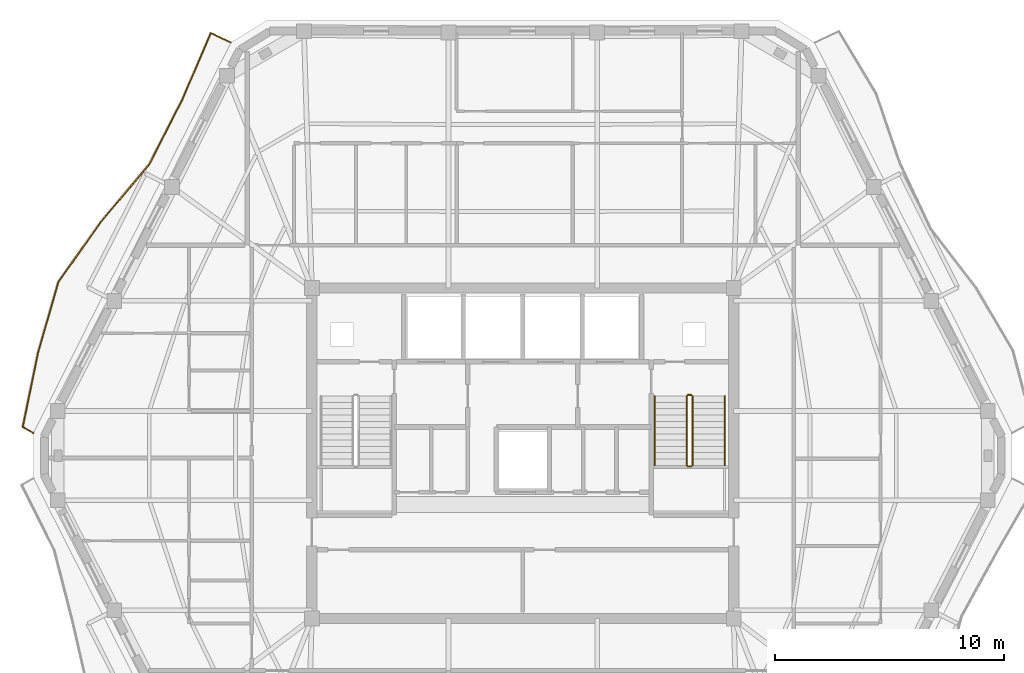
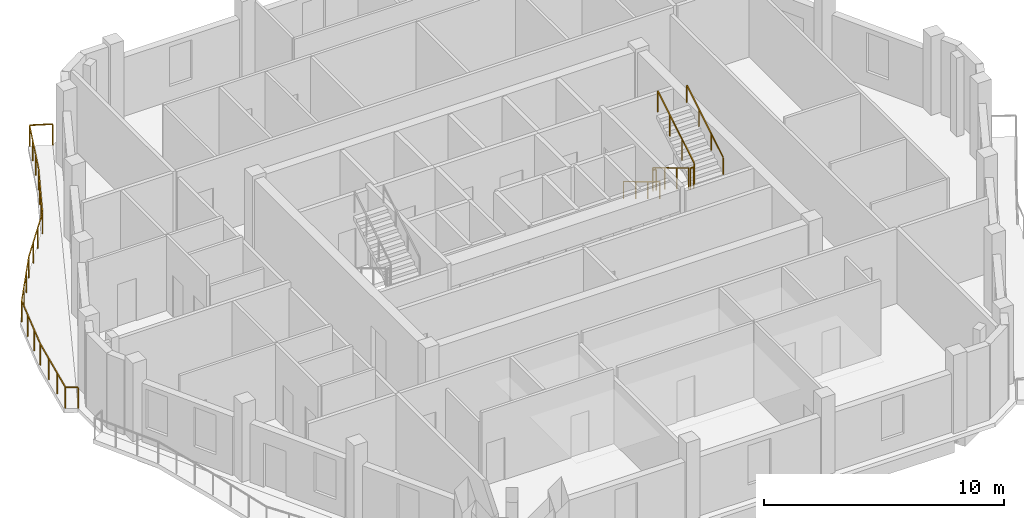
# One storey, part 10 of 11: 7 railings.
"""IFC4 building model written with IfcOpenShell, lengths in metres."""

from ifc_helpers import new_model, si_unit, direction, frame, origin, origin_2d, place, context, subcontext, project, spatial, rectangle, extrude, material, type_object, element, save


model = new_model("IFC4")

# Units and contexts
model_context = context("Model", 3, precision=1e-05, world=origin(), true_north=direction((0.0, 1.0)))
body_context = subcontext(model_context, "Body", "Model", "MODEL_VIEW")
ifc_project = project(units=[si_unit("LENGTHUNIT", "METRE"), si_unit("AREAUNIT", "SQUARE_METRE"), si_unit("VOLUMEUNIT", "CUBIC_METRE"), si_unit("PLANEANGLEUNIT", "RADIAN"), si_unit("MASSUNIT", "GRAM", prefix="KILO")], contexts=[model_context])

# Site, building, storey
site_placement = place(None, origin())
site = spatial("IfcSite", under=ifc_project, at=site_placement, CompositionType="ELEMENT")
building_placement = place(site_placement, origin())
building = spatial("IfcBuilding", under=site, at=building_placement, Name="Cinnabar Lancet Tower", CompositionType="ELEMENT")
storey_placement = place(building_placement, frame((0.0, 0.0, 283.5)))
storey = spatial("IfcBuildingStorey", under=building, at=storey_placement, Name="L75", CompositionType="ELEMENT", Elevation=283.5)

# Railings
ifc_material_1 = material(Name="Laminated safety glass and bronze stainless steel balustrade", Category="steel")
railing_type_1 = type_object("IfcRailingType", Name="ENV-RLG-BAL-1100", PredefinedType="BALUSTRADE", material=ifc_material_1)
railing_1_placement = place(storey_placement, frame((19.638916015625, 43.867919921875, 0.0)))
element("IfcRailing", 1, at=railing_1_placement, inside=storey, type_object=railing_type_1, Name="L75 Face 5 Wave Balcony Balustrade", PredefinedType="BALUSTRADE", context=body_context, shape_type="SweptSolid", body=[
    extrude(rectangle(XDim=0.048095703125, YDim=0.048095703125, at=origin_2d()), frame((0.0, 0.0, 1.076171875), z_axis=(-0.906336931141, 0.422555756379, 0.0), x_axis=(-0.422555756379, -0.906336931141, 0.0)), (0.0, 0.0, 1.0), 0.972900390625),
    extrude(rectangle(XDim=0.048095703125, YDim=0.048095703125, at=origin_2d()), frame((-0.8818359375, 0.4111328125, 1.076171875), z_axis=(-0.394039364003, -0.919093564125, 0.0), x_axis=(0.919093564125, -0.394039364003, 0.0)), (0.0, 0.0, 1.0), 3.190185546875),
    extrude(rectangle(XDim=0.048095703125, YDim=0.048095703125, at=origin_2d()), frame((-2.138916015625, -2.52099609375, 1.076171875), z_axis=(-0.455239532609, -0.89036900662, 0.0), x_axis=(0.89036900662, -0.455239532609, 0.0)), (0.0, 0.0, 1.0), 3.1806640625),
    extrude(rectangle(XDim=0.048095703125, YDim=0.048095703125, at=origin_2d()), frame((-3.5869140625, -5.35302734375, 1.076171875), z_axis=(-0.643910235031, -0.765101045106, 0.0), x_axis=(0.765101045106, -0.643910235031, 0.0)), (0.0, 0.0, 1.0), 3.267578125),
    extrude(rectangle(XDim=0.048095703125, YDim=0.048095703125, at=origin_2d()), frame((-5.69091796875, -7.85302734375, 1.076171875), z_axis=(-0.577713991463, -0.816239268884, 0.0), x_axis=(0.816239268884, -0.577713991463, 0.0)), (0.0, 0.0, 1.0), 3.216064453125),
    extrude(rectangle(XDim=0.048095703125, YDim=0.048095703125, at=origin_2d()), frame((-7.548828125, -10.47802734375, 1.076171875), z_axis=(-0.27613504007, -0.961118847825, 0.0), x_axis=(0.961118847825, -0.27613504007, 0.0)), (0.0, 0.0, 1.0), 3.23779296875),
    extrude(rectangle(XDim=0.048095703125, YDim=0.048095703125, at=origin_2d()), frame((-8.44287109375, -13.58984375, 1.076171875), z_axis=(-0.201097176292, -0.979571296888, 0.0), x_axis=(0.979571296888, -0.201097176292, 0.0)), (0.0, 0.0, 1.0), 3.29736328125),
    extrude(rectangle(XDim=0.048095703125, YDim=0.048095703125, at=origin_2d()), frame((-9.10595703125, -16.81982421875, 1.076171875), z_axis=(0.867512049727, -0.497416167387, 0.0), x_axis=(0.497416167387, 0.867512049727, 0.0)), (0.0, 0.0, 1.0), 0.534912109375),
    extrude(rectangle(XDim=0.0419921875, YDim=0.0419921875, at=origin_2d()), origin(), (0.0, 0.0, 1.0), 1.052001953125),
    extrude(rectangle(XDim=0.0419921875, YDim=0.0419921875, at=origin_2d()), frame((-0.8818359375, 0.4111328125, 0.0)), (0.0, 0.0, 1.0), 1.052001953125),
    extrude(rectangle(XDim=0.0419921875, YDim=0.0419921875, at=origin_2d()), frame((-1.30078125, -0.566162109375, 0.0)), (0.0, 0.0, 1.0), 1.052001953125),
    extrude(rectangle(XDim=0.0419921875, YDim=0.0419921875, at=origin_2d()), frame((-1.719970703125, -1.543701171875, 0.0)), (0.0, 0.0, 1.0), 1.052001953125),
    extrude(rectangle(XDim=0.0419921875, YDim=0.0419921875, at=origin_2d()), frame((-2.138916015625, -2.52099609375, 0.0)), (0.0, 0.0, 1.0), 1.052001953125),
    extrude(rectangle(XDim=0.0419921875, YDim=0.0419921875, at=origin_2d()), frame((-2.62158203125, -3.465087890625, 0.0)), (0.0, 0.0, 1.0), 1.052001953125),
    extrude(rectangle(XDim=0.0419921875, YDim=0.0419921875, at=origin_2d()), frame((-3.104248046875, -4.408935546875, 0.0)), (0.0, 0.0, 1.0), 1.052001953125),
    extrude(rectangle(XDim=0.0419921875, YDim=0.0419921875, at=origin_2d()), frame((-3.5869140625, -5.35302734375, 0.0)), (0.0, 0.0, 1.0), 1.052001953125),
    extrude(rectangle(XDim=0.0419921875, YDim=0.0419921875, at=origin_2d()), frame((-4.288330078125, -6.186279296875, 0.0)), (0.0, 0.0, 1.0), 1.052001953125),
    extrude(rectangle(XDim=0.0419921875, YDim=0.0419921875, at=origin_2d()), frame((-4.989501953125, -7.019775390625, 0.0)), (0.0, 0.0, 1.0), 1.052001953125),
    extrude(rectangle(XDim=0.0419921875, YDim=0.0419921875, at=origin_2d()), frame((-5.69091796875, -7.85302734375, 0.0)), (0.0, 0.0, 1.0), 1.052001953125),
    extrude(rectangle(XDim=0.0419921875, YDim=0.0419921875, at=origin_2d()), frame((-6.310302734375, -8.72802734375, 0.0)), (0.0, 0.0, 1.0), 1.052001953125),
    extrude(rectangle(XDim=0.0419921875, YDim=0.0419921875, at=origin_2d()), frame((-6.929443359375, -9.60302734375, 0.0)), (0.0, 0.0, 1.0), 1.052001953125),
    extrude(rectangle(XDim=0.0419921875, YDim=0.0419921875, at=origin_2d()), frame((-7.548828125, -10.47802734375, 0.0)), (0.0, 0.0, 1.0), 1.052001953125),
    extrude(rectangle(XDim=0.0419921875, YDim=0.0419921875, at=origin_2d()), frame((-7.846923828125, -11.515380859375, 0.0)), (0.0, 0.0, 1.0), 1.052001953125),
    extrude(rectangle(XDim=0.0419921875, YDim=0.0419921875, at=origin_2d()), frame((-8.144775390625, -12.552490234375, 0.0)), (0.0, 0.0, 1.0), 1.052001953125),
    extrude(rectangle(XDim=0.0419921875, YDim=0.0419921875, at=origin_2d()), frame((-8.44287109375, -13.58984375, 0.0)), (0.0, 0.0, 1.0), 1.052001953125),
    extrude(rectangle(XDim=0.0419921875, YDim=0.0419921875, at=origin_2d()), frame((-8.663818359375, -14.66650390625, 0.0)), (0.0, 0.0, 1.0), 1.052001953125),
    extrude(rectangle(XDim=0.0419921875, YDim=0.0419921875, at=origin_2d()), frame((-8.885009765625, -15.7431640625, 0.0)), (0.0, 0.0, 1.0), 1.052001953125),
    extrude(rectangle(XDim=0.0419921875, YDim=0.0419921875, at=origin_2d()), frame((-9.10595703125, -16.81982421875, 0.0)), (0.0, 0.0, 1.0), 1.052001953125),
    extrude(rectangle(XDim=0.0419921875, YDim=0.0419921875, at=origin_2d()), frame((-8.641845703125, -17.0859375, 0.0)), (0.0, 0.0, 1.0), 1.052001953125),
])
ifc_material_2 = material(Name="Painted galvanized steel balustrade", Category="steel")
railing_type_2 = type_object("IfcRailingType", Name="GUARD-STAIR", PredefinedType="GUARDRAIL", material=ifc_material_2)
railing_2_placement = place(storey_placement, frame((39.574951171875, 28.39990234375, 0.166748046875)))
element("IfcRailing", 2, at=railing_2_placement, inside=storey, type_object=railing_type_2, Name="L75 ST-2 stair guard 1", PredefinedType="GUARDRAIL", context=body_context, shape_type="SweptSolid", body=[
    extrude(rectangle(XDim=0.048095703125, YDim=0.048095703125, at=origin_2d()), frame((0.0, 0.0, 1.076171875), z_axis=(0.0, -0.855200612876, 0.518297126884), x_axis=(1.0, 0.0, 0.0)), (0.0, 0.0, 1.0), 3.537109375),
    extrude(rectangle(XDim=0.0419921875, YDim=0.0419921875, at=origin_2d()), origin(), (0.0, 0.0, 1.0), 1.052001953125),
    extrude(rectangle(XDim=0.0419921875, YDim=0.0419921875, at=origin_2d()), frame((0.0, -1.00830078125, 0.611083984375)), (0.0, 0.0, 1.0), 1.052001953125),
    extrude(rectangle(XDim=0.0419921875, YDim=0.0419921875, at=origin_2d()), frame((0.0, -2.0166015625, 1.22216796875)), (0.0, 0.0, 1.0), 1.052001953125),
    extrude(rectangle(XDim=0.0419921875, YDim=0.0419921875, at=origin_2d()), frame((0.0, -3.02490234375, 1.833251953125)), (0.0, 0.0, 1.0), 1.052001953125),
])
railing_3_placement = place(storey_placement, frame((39.625, 25.324951171875, 2.0)))
element("IfcRailing", 3, at=railing_3_placement, inside=storey, type_object=railing_type_2, Name="L75 ST-2 stair guard 2", PredefinedType="GUARDRAIL", context=body_context, shape_type="SweptSolid", body=[
    extrude(rectangle(XDim=0.048095703125, YDim=0.048095703125, at=origin_2d()), frame((0.0, 0.0, 1.076171875), z_axis=(1.0, 0.0, 0.0), x_axis=(0.0, 1.0, 0.0)), (0.0, 0.0, 1.0), 0.14990234375),
    extrude(rectangle(XDim=0.0419921875, YDim=0.0419921875, at=origin_2d()), origin(), (0.0, 0.0, 1.0), 1.052001953125),
    extrude(rectangle(XDim=0.0419921875, YDim=0.0419921875, at=origin_2d()), frame((0.14990234375, 0.0, 0.0)), (0.0, 0.0, 1.0), 1.052001953125),
])
railing_4_placement = place(storey_placement, frame((39.824951171875, 25.375, 2.166748046875)))
element("IfcRailing", 4, at=railing_4_placement, inside=storey, type_object=railing_type_2, Name="L75 ST-2 stair guard 3", PredefinedType="GUARDRAIL", context=body_context, shape_type="SweptSolid", body=[
    extrude(rectangle(XDim=0.048095703125, YDim=0.048095703125, at=origin_2d()), frame((0.0, 0.0, 1.076171875), z_axis=(0.0, 0.855200612876, 0.518297126884), x_axis=(-1.0, 0.0, 0.0)), (0.0, 0.0, 1.0), 3.537109375),
    extrude(rectangle(XDim=0.0419921875, YDim=0.0419921875, at=origin_2d()), origin(), (0.0, 0.0, 1.0), 1.052001953125),
    extrude(rectangle(XDim=0.0419921875, YDim=0.0419921875, at=origin_2d()), frame((0.0, 1.00830078125, 0.611083984375)), (0.0, 0.0, 1.0), 1.052001953125),
    extrude(rectangle(XDim=0.0419921875, YDim=0.0419921875, at=origin_2d()), frame((0.0, 2.0166015625, 1.22216796875)), (0.0, 0.0, 1.0), 1.052001953125),
    extrude(rectangle(XDim=0.0419921875, YDim=0.0419921875, at=origin_2d()), frame((0.0, 3.02490234375, 1.833251953125)), (0.0, 0.0, 1.0), 1.052001953125),
])
railing_5_placement = place(storey_placement, frame((39.625, 28.449951171875, 0.0)))
element("IfcRailing", 5, at=railing_5_placement, inside=storey, type_object=railing_type_2, Name="L75 ST-2 stair guard 4", PredefinedType="GUARDRAIL", context=body_context, shape_type="SweptSolid", body=[
    extrude(rectangle(XDim=0.048095703125, YDim=0.048095703125, at=origin_2d()), frame((0.0, 0.0, 1.076171875), z_axis=(1.0, 0.0, 0.0), x_axis=(0.0, 1.0, 0.0)), (0.0, 0.0, 1.0), 0.14990234375),
    extrude(rectangle(XDim=0.0419921875, YDim=0.0419921875, at=origin_2d()), origin(), (0.0, 0.0, 1.0), 1.052001953125),
    extrude(rectangle(XDim=0.0419921875, YDim=0.0419921875, at=origin_2d()), frame((0.14990234375, 0.0, 0.0)), (0.0, 0.0, 1.0), 1.052001953125),
])
ifc_material_3 = material(Name="Brushed stainless steel handrail", Category="steel")
railing_type_3 = type_object("IfcRailingType", Name="HANDRAIL-STAIR", PredefinedType="HANDRAIL", material=ifc_material_3)
railing_6_placement = place(storey_placement, frame((38.175048828125, 28.39990234375, 0.166748046875)))
element("IfcRailing", 6, at=railing_6_placement, inside=storey, type_object=railing_type_3, Name="L75 ST-2 stair handrail 1", PredefinedType="HANDRAIL", context=body_context, shape_type="SweptSolid", body=[
    extrude(rectangle(XDim=0.048095703125, YDim=0.048095703125, at=origin_2d()), frame((0.0, 0.0, 0.8759765625), z_axis=(0.0, -0.855200612876, 0.518297126884), x_axis=(1.0, 0.0, 0.0)), (0.0, 0.0, 1.0), 3.537109375),
    extrude(rectangle(XDim=0.0419921875, YDim=0.0419921875, at=origin_2d()), origin(), (0.0, 0.0, 1.0), 0.851806640625),
    extrude(rectangle(XDim=0.0419921875, YDim=0.0419921875, at=origin_2d()), frame((0.0, -1.00830078125, 0.611083984375)), (0.0, 0.0, 1.0), 0.851806640625),
    extrude(rectangle(XDim=0.0419921875, YDim=0.0419921875, at=origin_2d()), frame((0.0, -2.0166015625, 1.22216796875)), (0.0, 0.0, 1.0), 0.851806640625),
    extrude(rectangle(XDim=0.0419921875, YDim=0.0419921875, at=origin_2d()), frame((0.0, -3.02490234375, 1.833251953125)), (0.0, 0.0, 1.0), 0.851806640625),
])
railing_7_placement = place(storey_placement, frame((41.22509765625, 25.375, 2.166748046875)))
element("IfcRailing", 7, at=railing_7_placement, inside=storey, type_object=railing_type_3, Name="L75 ST-2 stair handrail 2", PredefinedType="HANDRAIL", context=body_context, shape_type="SweptSolid", body=[
    extrude(rectangle(XDim=0.048095703125, YDim=0.048095703125, at=origin_2d()), frame((0.0, 0.0, 0.8759765625), z_axis=(0.0, 0.855200612876, 0.518297126884), x_axis=(-1.0, 0.0, 0.0)), (0.0, 0.0, 1.0), 3.537109375),
    extrude(rectangle(XDim=0.0419921875, YDim=0.0419921875, at=origin_2d()), origin(), (0.0, 0.0, 1.0), 0.851806640625),
    extrude(rectangle(XDim=0.0419921875, YDim=0.0419921875, at=origin_2d()), frame((0.0, 1.00830078125, 0.611083984375)), (0.0, 0.0, 1.0), 0.851806640625),
    extrude(rectangle(XDim=0.0419921875, YDim=0.0419921875, at=origin_2d()), frame((0.0, 2.0166015625, 1.22216796875)), (0.0, 0.0, 1.0), 0.851806640625),
    extrude(rectangle(XDim=0.0419921875, YDim=0.0419921875, at=origin_2d()), frame((0.0, 3.02490234375, 1.833251953125)), (0.0, 0.0, 1.0), 0.851806640625),
])

save(model, "model.ifc")
